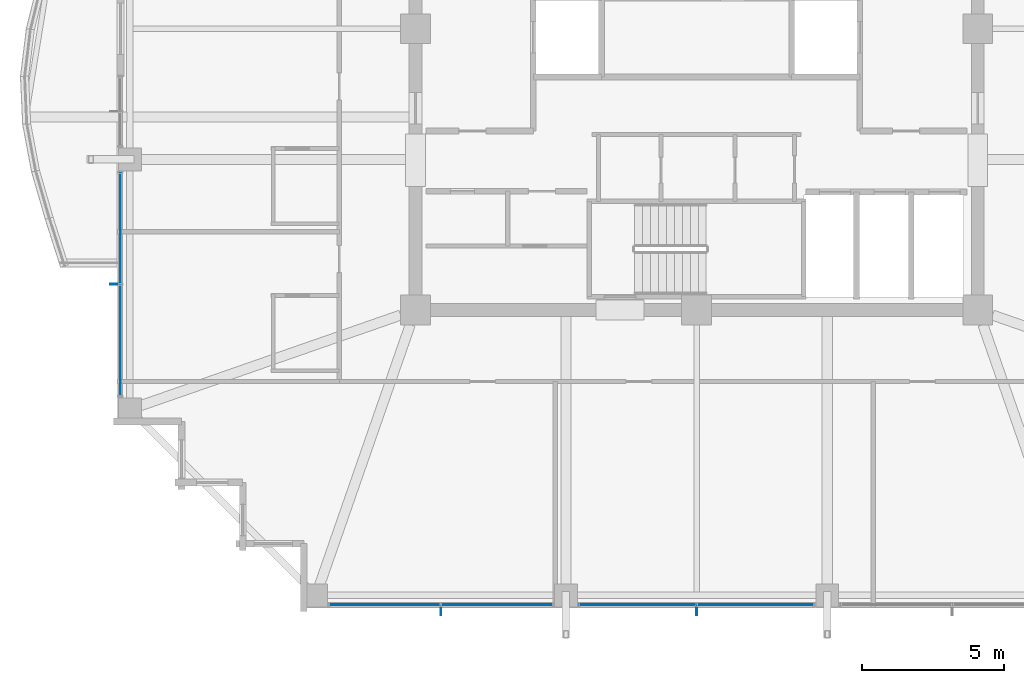
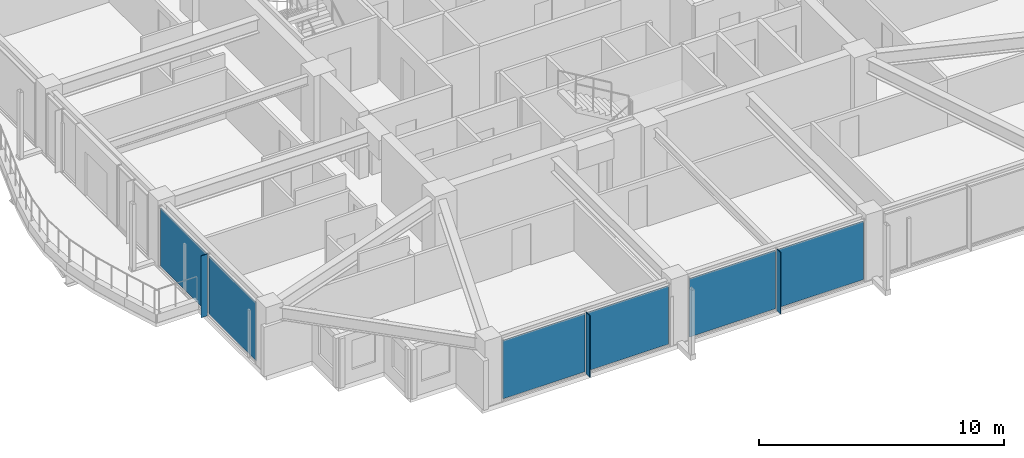
# One storey, part 20 of 33: 9 plates, 3 elements without a shape of their own.
"""IFC4 building model written with IfcOpenShell, lengths in metres."""

from ifc_helpers import new_model, si_unit, direction, frame, origin, origin_2d, place, context, subcontext, project, spatial, rectangle, extrude, material, layer, layer_set, type_object, element, aggregate, save


model = new_model("IFC4")

# Units and contexts
model_context = context("Model", 3, precision=1e-05, world=origin(), true_north=direction((0.0, 1.0)))
body_context = subcontext(model_context, "Body", "Model", "MODEL_VIEW")
ifc_project = project(units=[si_unit("LENGTHUNIT", "METRE"), si_unit("AREAUNIT", "SQUARE_METRE"), si_unit("VOLUMEUNIT", "CUBIC_METRE"), si_unit("PLANEANGLEUNIT", "RADIAN"), si_unit("MASSUNIT", "GRAM", prefix="KILO")], contexts=[model_context])

# Site, building, storey
site_placement = place(None, origin())
site = spatial("IfcSite", under=ifc_project, at=site_placement, CompositionType="ELEMENT")
building_placement = place(site_placement, origin())
building = spatial("IfcBuilding", under=site, at=building_placement, Name="Kolvaren Belvedere", CompositionType="ELEMENT")
storey_placement = place(building_placement, frame((0.0, 0.0, 209.699951171875)))
storey = spatial("IfcBuildingStorey", under=building, at=storey_placement, Name="L61", CompositionType="ELEMENT", Elevation=209.699951171875)

# Curtain wall, plates
ifc_material_1 = material(Name="Anodised pale-metal aluminium AA 6063-T6", Category="aluminium")
curtain_wall_type = type_object("IfcCurtainWallType", Name="CW-Z5-HIGH", PredefinedType="NOTDEFINED", material=ifc_material_1)
curtain_wall_1_placement = place(storey_placement, origin())
curtain_wall_1 = element("IfcCurtainWall", 1, at=curtain_wall_1_placement, inside=storey, type_object=curtain_wall_type, Name="L61 Unitised Curtain Wall FCW-L61-S-B2", PredefinedType="NOTDEFINED")
ifc_material_2 = material(Name="Low-iron triple insulated glass", Category="glass")
ifc_layer_1 = layer(ifc_material_2, 0.028076171875)
ifc_layer_set_1 = layer_set([ifc_layer_1], Name="Low-iron triple insulated glass")
plate_type_1 = type_object("IfcPlateType", Name="CW-PNL-VIS28", PredefinedType="CURTAIN_PANEL", material=ifc_layer_set_1)
plate_1_placement = place(storey_placement, frame((2.072509765625, -20.280029296875, 0.080078125), z_axis=(0.0, 0.0, 1.0), x_axis=(-1.0, 0.0, 0.0)))
plate_1 = element("IfcPlate", 2, at=plate_1_placement, type_object=plate_type_1, Name="FCW-L61-S-B2 Vision Glazing Panel 1", PredefinedType="CURTAIN_PANEL", context=body_context, shape_type="SweptSolid", body=[
    extrude(rectangle(XDim=4.06494140625, YDim=0.028076171875, at=origin_2d()), origin(), (0.0, 0.0, 1.0), 2.919921875),
])
plate_2_placement = place(storey_placement, frame((-2.072509765625, -20.280029296875, 0.080078125), z_axis=(0.0, 0.0, 1.0), x_axis=(-1.0, 0.0, 0.0)))
plate_2 = element("IfcPlate", 3, at=plate_2_placement, type_object=plate_type_1, Name="FCW-L61-S-B2 Vision Glazing Panel 2", PredefinedType="CURTAIN_PANEL", context=body_context, shape_type="SweptSolid", body=[
    extrude(rectangle(XDim=4.06494140625, YDim=0.028076171875, at=origin_2d()), origin(), (0.0, 0.0, 1.0), 2.919921875),
])
aggregate(curtain_wall_1, [plate_1, plate_2])

curtain_wall_2_placement = place(storey_placement, origin())
curtain_wall_2 = element("IfcCurtainWall", 4, at=curtain_wall_2_placement, inside=storey, type_object=curtain_wall_type, Name="L61 Unitised Curtain Wall FCW-L61-S-B3", PredefinedType="NOTDEFINED")
plate_3_placement = place(storey_placement, frame((-7.027587890625, -20.280029296875, 0.080078125), z_axis=(0.0, 0.0, 1.0), x_axis=(-1.0, 0.0, 0.0)))
plate_3 = element("IfcPlate", 5, at=plate_3_placement, type_object=plate_type_1, Name="FCW-L61-S-B3 Vision Glazing Panel 1", PredefinedType="CURTAIN_PANEL", context=body_context, shape_type="SweptSolid", body=[
    extrude(rectangle(XDim=3.864990234375, YDim=0.028076171875, at=origin_2d()), origin(), (0.0, 0.0, 1.0), 2.919921875),
])
plate_4_placement = place(storey_placement, frame((-10.972412109375, -20.280029296875, 0.080078125), z_axis=(0.0, 0.0, 1.0), x_axis=(-1.0, 0.0, 0.0)))
plate_4 = element("IfcPlate", 6, at=plate_4_placement, type_object=plate_type_1, Name="FCW-L61-S-B3 Vision Glazing Panel 2", PredefinedType="CURTAIN_PANEL", context=body_context, shape_type="SweptSolid", body=[
    extrude(rectangle(XDim=3.864990234375, YDim=0.028076171875, at=origin_2d()), origin(), (0.0, 0.0, 1.0), 2.919921875),
])
aggregate(curtain_wall_2, [plate_3, plate_4])

curtain_wall_3_placement = place(storey_placement, origin())
curtain_wall_3 = element("IfcCurtainWall", 7, at=curtain_wall_3_placement, inside=storey, type_object=curtain_wall_type, Name="L61 Unitised Curtain Wall FCW-L61-W1-B1", PredefinedType="NOTDEFINED")
plate_5_placement = place(storey_placement, frame((-20.280029296875, -10.972412109375, 0.080078125), z_axis=(0.0, 0.0, 1.0), x_axis=(0.0, 1.0, 0.0)))
plate_5 = element("IfcPlate", 8, at=plate_5_placement, type_object=plate_type_1, Name="FCW-L61-W1-B1 Vision Glazing Panel 1", PredefinedType="CURTAIN_PANEL", context=body_context, shape_type="SweptSolid", body=[
    extrude(rectangle(XDim=3.864990234375, YDim=0.028076171875, at=origin_2d()), origin(), (0.0, 0.0, 1.0), 2.919921875),
])
plate_6_placement = place(storey_placement, frame((-20.280029296875, -7.027587890625, 0.080078125), z_axis=(0.0, 0.0, 1.0), x_axis=(0.0, 1.0, 0.0)))
plate_6 = element("IfcPlate", 9, at=plate_6_placement, type_object=plate_type_1, Name="FCW-L61-W1-B1 Vision Glazing Panel 2", PredefinedType="CURTAIN_PANEL", context=body_context, shape_type="SweptSolid", body=[
    extrude(rectangle(XDim=3.864990234375, YDim=0.028076171875, at=origin_2d()), origin(), (0.0, 0.0, 1.0), 2.919921875),
])
aggregate(curtain_wall_3, [plate_5, plate_6])

# Plates
ifc_material_3 = material(Name="Anodised pale-metal aluminium AA 6063-T6", Category="aluminium")
ifc_layer_2 = layer(ifc_material_3, 0.030029296875)
ifc_layer_set_2 = layer_set([ifc_layer_2], Name="Anodised pale-metal aluminium AA 6063-T6")
plate_type_2 = type_object("IfcPlateType", Name="FIN-VERT-300", PredefinedType="USERDEFINED", material=ifc_layer_set_2)
for number, where, z_axis, x_axis, name in (
    (10, (0.0, -20.489990234375, 0.0), (0.0, 0.0, 1.0), (0.0, 1.0, 0.0), "L61 Pale-Metal Vertical Shading Fin FCW-L61-S-B2-1"),
    (11, (-9.0, -20.489990234375, 0.0), (0.0, 0.0, 1.0), (0.0, 1.0, 0.0), "L61 Pale-Metal Vertical Shading Fin FCW-L61-S-B3-1"),
    (12, (-20.489990234375, -9.0, 0.0), (0.0, 0.0, 1.0), (1.0, 0.0, 0.0), "L61 Pale-Metal Vertical Shading Fin FCW-L61-W1-B1-1"),
):
    element("IfcPlate", number, at=place(storey_placement, frame(where, z_axis=z_axis, x_axis=x_axis)), inside=storey, type_object=plate_type_2, Name=name, ObjectType="VERTICAL FIN", PredefinedType="USERDEFINED", context=body_context, shape_type="SweptSolid", body=[
        extrude(rectangle(XDim=0.300048828125, YDim=0.030029296875, at=origin_2d()), origin(), (0.0, 0.0, 1.0), 3.080078125),
    ])

save(model, "model.ifc")
